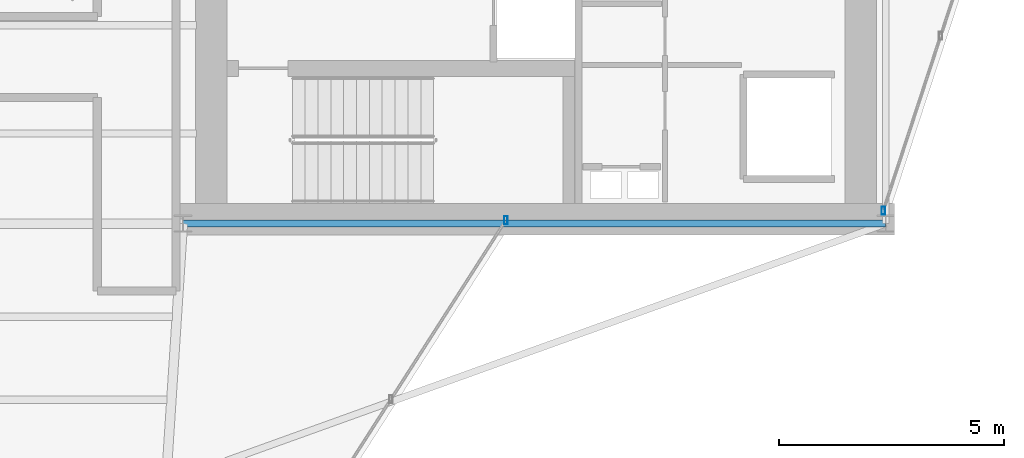
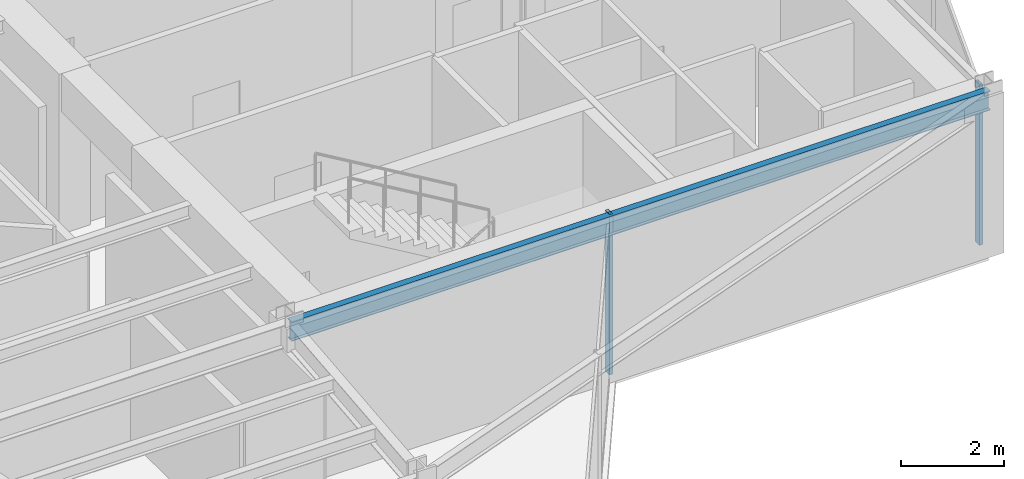
# One storey, part 14 of 23: 2 members, 1 beam, 2 elements without a shape of their own.
"""IFC4 building model written with IfcOpenShell, lengths in metres."""

from ifc_helpers import new_model, si_unit, direction, frame, origin, origin_2d, place, context, subcontext, project, spatial, hollow_rectangle, i_section, extrude, material, layer, layer_set, material_profile, profile_set, type_object, element, aggregate, save


model = new_model("IFC4")

# Units and contexts
model_context = context("Model", 3, precision=1e-05, world=origin(), true_north=direction((0.0, 1.0)))
body_context = subcontext(model_context, "Body", "Model", "MODEL_VIEW")
ifc_project = project(units=[si_unit("LENGTHUNIT", "METRE"), si_unit("AREAUNIT", "SQUARE_METRE"), si_unit("VOLUMEUNIT", "CUBIC_METRE"), si_unit("PLANEANGLEUNIT", "RADIAN"), si_unit("MASSUNIT", "GRAM", prefix="KILO")], contexts=[model_context])

# Site, building, storey
site_placement = place(None, origin())
site = spatial("IfcSite", under=ifc_project, at=site_placement, CompositionType="ELEMENT")
building_placement = place(site_placement, origin())
building = spatial("IfcBuilding", under=site, at=building_placement, Name="Veymaron Broadcast Tower", CompositionType="ELEMENT")
storey_placement = place(building_placement, frame((0.0, 0.0, 191.85009765625)))
storey = spatial("IfcBuildingStorey", under=building, at=storey_placement, Name="L44", CompositionType="ELEMENT", Elevation=191.85009765625)

# Beam
ifc_material_1 = material(Name="Structural steel ASTM A992 Gr 50", Category="steel")
ifc_material_profile_1 = material_profile(ifc_material_1, i_section(OverallWidth=0.154052734375, OverallDepth=0.458984375, WebThickness=0.009033203125, FlangeThickness=0.015380859375, at=origin_2d()), Name="W460X68")
ifc_profile_set_1 = profile_set([ifc_material_profile_1], Name="Structural steel ASTM A992 Gr 50")
beam_type = type_object("IfcBeamType", Name="BM-SP2", PredefinedType="SPANDREL", material=ifc_profile_set_1)
beam_placement = place(storey_placement, frame((39.0, 16.0, 3.560302734375), z_axis=(1.0, 0.0, 0.0), x_axis=(0.0, 1.0, 0.0)))
element("IfcBeam", 1, at=beam_placement, inside=storey, type_object=beam_type, Name="L44 primary structural floor girder", PredefinedType="SPANDREL", context=body_context, shape_type="SweptSolid", body=[
    extrude(i_section(OverallWidth=0.154052734375, OverallDepth=0.458984375, WebThickness=0.009033203125, FlangeThickness=0.015380859375, at=origin_2d()), origin(), (0.0, 0.0, 1.0), 15.60009765625),
])

# Curtain wall, member
ifc_material_2 = material(Name="Anodised aluminium AA 6063-T6 and laminated low-E dark glass", Category="aluminium")
ifc_layer = layer(ifc_material_2, 0.179931640625)
ifc_layer_set = layer_set([ifc_layer], Name="Anodised aluminium AA 6063-T6 and laminated low-E dark glass")
curtain_wall_type = type_object("IfcCurtainWallType", Name="CW-SYS-05", PredefinedType="NOTDEFINED", material=ifc_layer_set)
curtain_wall_1_placement = place(storey_placement, origin())
curtain_wall_1 = element("IfcCurtainWall", 2, at=curtain_wall_1_placement, inside=storey, type_object=curtain_wall_type, Name="L44 dark-glass curtain wall CW-L44-E2-1", PredefinedType="NOTDEFINED")
ifc_material_3 = material(Name="Anodised aluminium AA 6063-T6", Category="aluminium")
ifc_material_profile_2 = material_profile(ifc_material_3, hollow_rectangle(XDim=0.074951171875, YDim=0.179931640625, WallThickness=0.0048828125, at=origin_2d()), Name="AL180X75X5")
ifc_profile_set_2 = profile_set([ifc_material_profile_2], Name="Anodised aluminium AA 6063-T6")
member_type = type_object("IfcMemberType", Name="CW-MUL-02", PredefinedType="MULLION", material=ifc_profile_set_2)
member_1_placement = place(storey_placement, frame((54.54736328125, 16.288330078125, 0.0), z_axis=(0.0, 0.0, 1.0), x_axis=(1.0, 0.0, 0.0)))
member_1 = element("IfcMember", 3, at=member_1_placement, type_object=member_type, Name="CW-L44-E2-1 mullion 0", PredefinedType="MULLION", context=body_context, shape_type="SweptSolid", body=[
    extrude(hollow_rectangle(XDim=0.074951171875, YDim=0.179931640625, WallThickness=0.0048828125, at=origin_2d()), origin(), (0.0, 0.0, 1.0), 3.789794921875),
])
aggregate(curtain_wall_1, [member_1])

curtain_wall_2_placement = place(storey_placement, origin())
curtain_wall_2 = element("IfcCurtainWall", 4, at=curtain_wall_2_placement, inside=storey, type_object=curtain_wall_type, Name="L44 dark-glass curtain wall CW-L44-E20-1", PredefinedType="NOTDEFINED")
member_2_placement = place(storey_placement, frame((46.1689453125, 16.07568359375, 0.0), z_axis=(0.0, 0.0, 1.0), x_axis=(1.0, 0.0, 0.0)))
member_2 = element("IfcMember", 5, at=member_2_placement, type_object=member_type, Name="CW-L44-E20-1 mullion 2", PredefinedType="MULLION", context=body_context, shape_type="SweptSolid", body=[
    extrude(hollow_rectangle(XDim=0.074951171875, YDim=0.179931640625, WallThickness=0.0048828125, at=origin_2d()), origin(), (0.0, 0.0, 1.0), 3.789794921875),
])
aggregate(curtain_wall_2, [member_2])

save(model, "model.ifc")
